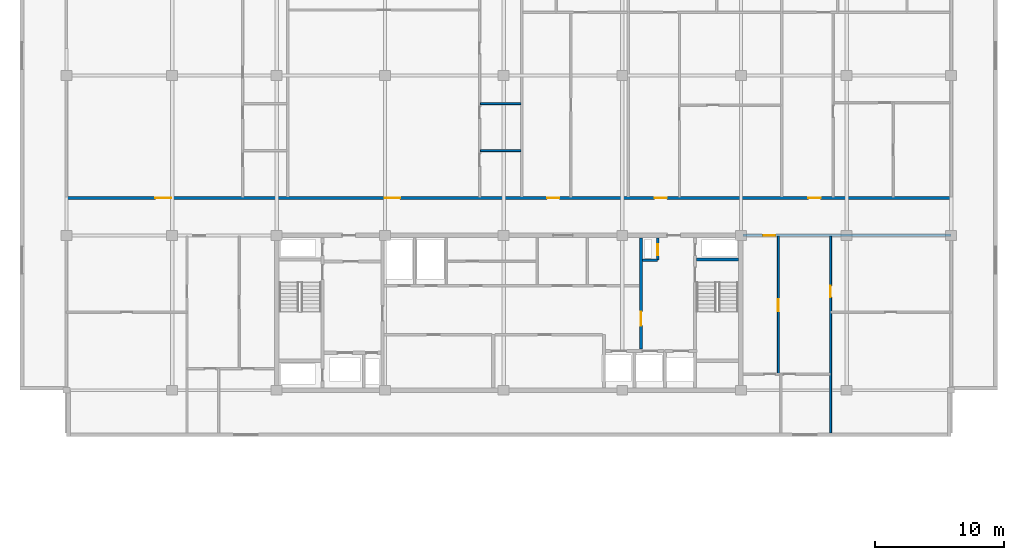
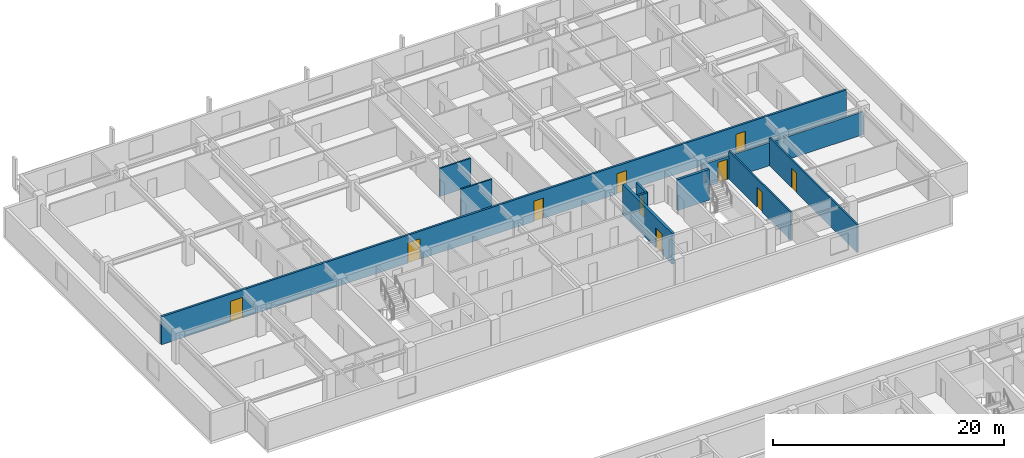
# One storey, part 12 of 21: 10 doors, 10 walls, 10 openings.
"""IFC4 building model written with IfcOpenShell, lengths in metres."""

from ifc_helpers import new_model, si_unit, direction, frame, frame_2d, origin, place, context, subcontext, project, spatial, rectangle, extrude, material, layer, layer_set, type_object, element, fill, save


model = new_model("IFC4")

# Units and contexts
model_context = context("Model", 3, precision=1e-05, world=origin(), true_north=direction((0.0, 1.0)))
body_context = subcontext(model_context, "Body", "Model", "MODEL_VIEW")
ifc_project = project(units=[si_unit("LENGTHUNIT", "METRE"), si_unit("AREAUNIT", "SQUARE_METRE"), si_unit("VOLUMEUNIT", "CUBIC_METRE"), si_unit("PLANEANGLEUNIT", "RADIAN"), si_unit("MASSUNIT", "GRAM", prefix="KILO")], contexts=[model_context])

# Site, building, storey
site_placement = place(None, origin())
site = spatial("IfcSite", under=ifc_project, at=site_placement, CompositionType="ELEMENT")
building_placement = place(site_placement, origin())
building = spatial("IfcBuilding", under=site, at=building_placement, Name="Korimba Cascade Residences", CompositionType="ELEMENT")
storey_placement = place(building_placement, frame((0.0, 0.0, 184.85009765625)))
storey = spatial("IfcBuildingStorey", under=building, at=storey_placement, Name="L53", CompositionType="ELEMENT", Elevation=184.85009765625)

# Wall, opening, door
ifc_material_1 = material(Name="Precast concrete C40/50", Category="concrete")
ifc_layer_1 = layer(ifc_material_1, 0.199951171875)
ifc_layer_set_1 = layer_set([ifc_layer_1], Name="Precast concrete C40/50")
wall_type_1 = type_object("IfcWallType", Name="WAL-IT-200", PredefinedType="PARTITIONING", material=ifc_layer_set_1)
wall_1_placement = place(storey_placement, frame((112.25, 67.199951171875, 0.0), z_axis=(0.0, 0.0, 1.0), x_axis=(1.0, 0.0, 0.0)))
wall_1 = element("IfcWall", 1, at=wall_1_placement, inside=storey, type_object=wall_type_1, Name="L53 Partition Wall WAL-L53-T1-FE-N", PredefinedType="PARTITIONING", context=body_context, shape_type="SweptSolid", body=[
    extrude(rectangle(XDim=16.14990234375, YDim=0.199951171875, at=frame_2d((8.074951171875, 0.0))), origin(), (0.0, 0.0, 1.0), 2.43310546875),
])
opening_1_placement = place(wall_1_placement, frame((1.580078125, 0.0, 0.0)))
opening_1 = element("IfcOpeningElement", 2, at=opening_1_placement, cuts=wall_1, Name="Opening D-UN1", PredefinedType="OPENING", context=body_context, shape_type="SweptSolid", body=[
    extrude(rectangle(XDim=0.949951171875, YDim=2.14990234375, at=frame_2d((0.47509765625, 1.074951171875))), frame((0.0, 0.10986328125, 0.0), z_axis=(0.0, -1.0, 0.0), x_axis=(1.0, 0.0, 0.0)), (0.0, 0.0, 1.0), 0.219970703125),
])
ifc_material_2 = material(Name="Fire-Rated Hardwood Apartment Entrance Door", Category="wood")
door_type_1 = type_object("IfcDoorType", Name="DR-FD60-950", OperationType="NOTDEFINED", PredefinedType="DOOR", material=ifc_material_2)
door_1_placement = place(opening_1_placement, origin())
door_1 = element("IfcDoor", 3, at=door_1_placement, inside=storey, type_object=door_type_1, Name="L53-T1-FE Entrance Door", OperationType="SINGLE_SWING_LEFT", OverallHeight=2.14990234375, OverallWidth=0.949951171875, PredefinedType="DOOR", context=body_context, shape_type="SweptSolid", body=[
    extrude(rectangle(XDim=0.949951171875, YDim=2.14990234375, at=frame_2d((0.47509765625, 1.074951171875))), frame((0.0, 0.02490234375, 0.0), z_axis=(0.0, -1.0, 0.0), x_axis=(1.0, 0.0, 0.0)), (0.0, 0.0, 1.0), 0.050048828125),
])
fill(opening_1, door_1)

# Wall, openings, doors
wall_2_placement = place(storey_placement, frame((59.800048828125, 70.10009765625, 0.0), z_axis=(0.0, 0.0, 1.0), x_axis=(1.0, 0.0, 0.0)))
wall_2 = element("IfcWall", 4, at=wall_2_placement, inside=storey, type_object=wall_type_1, Name="L53 Partition Wall WAL-L53-T1-CORN", PredefinedType="PARTITIONING", context=body_context, shape_type="SweptSolid", body=[
    extrude(rectangle(XDim=68.599853515625, YDim=0.199951171875, at=frame_2d((34.2998046875, 0.0))), origin(), (0.0, 0.0, 1.0), 2.969970703125),
])
opening_2_placement = place(wall_2_placement, frame((6.89404296875, 0.0, 0.0)))
opening_2 = element("IfcOpeningElement", 5, at=opening_2_placement, cuts=wall_2, Name="Opening D-AM1", PredefinedType="OPENING", context=body_context, shape_type="SweptSolid", body=[
    extrude(rectangle(XDim=1.219970703125, YDim=2.179931640625, at=frame_2d((0.60986328125, 1.08984375))), frame((0.0, 0.10986328125, 0.0), z_axis=(0.0, -1.0, 0.0), x_axis=(1.0, 0.0, 0.0)), (0.0, 0.0, 1.0), 0.219970703125),
])
opening_3_placement = place(wall_2_placement, frame((24.664794921875, 0.0, 0.0)))
opening_3 = element("IfcOpeningElement", 6, at=opening_3_placement, cuts=wall_2, Name="Opening D-AM1", PredefinedType="OPENING", context=body_context, shape_type="SweptSolid", body=[
    extrude(rectangle(XDim=1.219970703125, YDim=2.179931640625, at=frame_2d((0.60986328125, 1.08984375))), frame((0.0, 0.10986328125, 0.0), z_axis=(0.0, -1.0, 0.0), x_axis=(1.0, 0.0, 0.0)), (0.0, 0.0, 1.0), 0.219970703125),
])
opening_4_placement = place(wall_2_placement, frame((37.27587890625, 0.0, 0.0)))
opening_4 = element("IfcOpeningElement", 7, at=opening_4_placement, cuts=wall_2, Name="Opening D-UN1", PredefinedType="OPENING", context=body_context, shape_type="SweptSolid", body=[
    extrude(rectangle(XDim=0.949951171875, YDim=2.14990234375, at=frame_2d((0.47509765625, 1.074951171875))), frame((0.0, 0.10986328125, 0.0), z_axis=(0.0, -1.0, 0.0), x_axis=(1.0, 0.0, 0.0)), (0.0, 0.0, 1.0), 0.219970703125),
])
opening_5_placement = place(wall_2_placement, frame((45.615478515625, 0.0, 0.0)))
opening_5 = element("IfcOpeningElement", 8, at=opening_5_placement, cuts=wall_2, Name="Opening D-UN1", PredefinedType="OPENING", context=body_context, shape_type="SweptSolid", body=[
    extrude(rectangle(XDim=0.949951171875, YDim=2.14990234375, at=frame_2d((0.47509765625, 1.074951171875))), frame((0.0, 0.10986328125, 0.0), z_axis=(0.0, -1.0, 0.0), x_axis=(1.0, 0.0, 0.0)), (0.0, 0.0, 1.0), 0.219970703125),
])
opening_6_placement = place(wall_2_placement, frame((57.522216796875, 0.0, 0.0)))
opening_6 = element("IfcOpeningElement", 9, at=opening_6_placement, cuts=wall_2, Name="Opening D-UN1", PredefinedType="OPENING", context=body_context, shape_type="SweptSolid", body=[
    extrude(rectangle(XDim=0.949951171875, YDim=2.14990234375, at=frame_2d((0.47509765625, 1.074951171875))), frame((0.0, 0.10986328125, 0.0), z_axis=(0.0, -1.0, 0.0), x_axis=(1.0, 0.0, 0.0)), (0.0, 0.0, 1.0), 0.219970703125),
])
ifc_material_3 = material(Name="Fire-Rated Glazed Timber Suite Door", Category="wood")
door_type_2 = type_object("IfcDoorType", Name="DR-FD60-1200", OperationType="NOTDEFINED", PredefinedType="DOOR", material=ifc_material_3)
door_2_placement = place(opening_2_placement, origin())
door_2 = element("IfcDoor", 10, at=door_2_placement, inside=storey, type_object=door_type_2, Name="L53-T1-U01 Resident Conference Room Door", OperationType="SINGLE_SWING_LEFT", OverallHeight=2.179931640625, OverallWidth=1.219970703125, PredefinedType="DOOR", context=body_context, shape_type="SweptSolid", body=[
    extrude(rectangle(XDim=1.219970703125, YDim=2.179931640625, at=frame_2d((0.60986328125, 1.08984375))), frame((0.0, 0.02490234375, 0.0), z_axis=(0.0, -1.0, 0.0), x_axis=(1.0, 0.0, 0.0)), (0.0, 0.0, 1.0), 0.050048828125),
])
fill(opening_2, door_2)
door_3_placement = place(opening_3_placement, origin())
door_3 = element("IfcDoor", 11, at=door_3_placement, inside=storey, type_object=door_type_2, Name="L53-T1-U02 Health Consultation Clinic Door", OperationType="SINGLE_SWING_RIGHT", OverallHeight=2.179931640625, OverallWidth=1.219970703125, PredefinedType="DOOR", context=body_context, shape_type="SweptSolid", body=[
    extrude(rectangle(XDim=1.219970703125, YDim=2.179931640625, at=frame_2d((0.60986328125, 1.08984375))), frame((0.0, 0.02490234375, 0.0), z_axis=(0.0, -1.0, 0.0), x_axis=(1.0, 0.0, 0.0)), (0.0, 0.0, 1.0), 0.050048828125),
])
fill(opening_3, door_3)
door_4_placement = place(opening_4_placement, origin())
door_4 = element("IfcDoor", 12, at=door_4_placement, inside=storey, type_object=door_type_1, Name="Unit L53-T1-U03 Entrance Door", OperationType="SINGLE_SWING_LEFT", OverallHeight=2.14990234375, OverallWidth=0.949951171875, PredefinedType="DOOR", context=body_context, shape_type="SweptSolid", body=[
    extrude(rectangle(XDim=0.949951171875, YDim=2.14990234375, at=frame_2d((0.47509765625, 1.074951171875))), frame((0.0, 0.02490234375, 0.0), z_axis=(0.0, -1.0, 0.0), x_axis=(1.0, 0.0, 0.0)), (0.0, 0.0, 1.0), 0.050048828125),
])
fill(opening_4, door_4)
door_5_placement = place(opening_5_placement, origin())
door_5 = element("IfcDoor", 13, at=door_5_placement, inside=storey, type_object=door_type_1, Name="Unit L53-T1-U04 Entrance Door", OperationType="SINGLE_SWING_RIGHT", OverallHeight=2.14990234375, OverallWidth=0.949951171875, PredefinedType="DOOR", context=body_context, shape_type="SweptSolid", body=[
    extrude(rectangle(XDim=0.949951171875, YDim=2.14990234375, at=frame_2d((0.47509765625, 1.074951171875))), frame((0.0, 0.02490234375, 0.0), z_axis=(0.0, -1.0, 0.0), x_axis=(1.0, 0.0, 0.0)), (0.0, 0.0, 1.0), 0.050048828125),
])
fill(opening_5, door_5)
door_6_placement = place(opening_6_placement, origin())
door_6 = element("IfcDoor", 14, at=door_6_placement, inside=storey, type_object=door_type_1, Name="Unit L53-T1-U05 Entrance Door", OperationType="SINGLE_SWING_LEFT", OverallHeight=2.14990234375, OverallWidth=0.949951171875, PredefinedType="DOOR", context=body_context, shape_type="SweptSolid", body=[
    extrude(rectangle(XDim=0.949951171875, YDim=2.14990234375, at=frame_2d((0.47509765625, 1.074951171875))), frame((0.0, 0.02490234375, 0.0), z_axis=(0.0, -1.0, 0.0), x_axis=(1.0, 0.0, 0.0)), (0.0, 0.0, 1.0), 0.050048828125),
])
fill(opening_6, door_6)

# Wall, opening, door
ifc_material_4 = material(Name="Insulated Acoustic Stud Partition", Category="gypsum")
ifc_layer_2 = layer(ifc_material_4, 0.14990234375)
ifc_layer_set_2 = layer_set([ifc_layer_2], Name="Insulated Acoustic Stud Partition")
wall_type_2 = type_object("IfcWallType", Name="WAL-PART-150", PredefinedType="PARTITIONING", material=ifc_layer_set_2)
wall_3_placement = place(storey_placement, frame((119.050048828125, 51.89990234375, 0.0), z_axis=(0.0, 0.0, 1.0), x_axis=(0.0, 1.0, 0.0)))
wall_3 = element("IfcWall", 15, at=wall_3_placement, inside=storey, type_object=wall_type_2, Name="L53 Partition Wall WAL-L53-T1-FE-STV", PredefinedType="PARTITIONING", context=body_context, shape_type="SweptSolid", body=[
    extrude(rectangle(XDim=15.25, YDim=0.14990234375, at=frame_2d((7.625, 0.0))), origin(), (0.0, 0.0, 1.0), 2.969970703125),
])
opening_7_placement = place(wall_3_placement, frame((10.5, 0.0, 0.0)))
opening_7 = element("IfcOpeningElement", 16, at=opening_7_placement, cuts=wall_3, Name="Opening D-IN2", PredefinedType="OPENING", context=body_context, shape_type="SweptSolid", body=[
    extrude(rectangle(XDim=0.8798828125, YDim=2.06005859375, at=frame_2d((0.43994140625, 1.030029296875))), frame((0.0, 0.0849609375, 0.0), z_axis=(0.0, -1.0, 0.0), x_axis=(1.0, 0.0, 0.0)), (0.0, 0.0, 1.0), 0.169921875),
])
ifc_material_5 = material(Name="Acoustic Timber Bedroom Door", Category="wood")
door_type_3 = type_object("IfcDoorType", Name="DR-INT-880", OperationType="NOTDEFINED", PredefinedType="DOOR", material=ifc_material_5)
door_7_placement = place(opening_7_placement, origin())
door_7 = element("IfcDoor", 17, at=door_7_placement, inside=storey, type_object=door_type_3, Name="L53-T1-FE Study Door", OperationType="SINGLE_SWING_LEFT", OverallHeight=2.06005859375, OverallWidth=0.8798828125, PredefinedType="DOOR", context=body_context, shape_type="SweptSolid", body=[
    extrude(rectangle(XDim=0.8798828125, YDim=2.06005859375, at=frame_2d((0.43994140625, 1.030029296875))), frame((0.0, 0.02490234375, 0.0), z_axis=(0.0, -1.0, 0.0), x_axis=(1.0, 0.0, 0.0)), (0.0, 0.0, 1.0), 0.050048828125),
])
fill(opening_7, door_7)

wall_4_placement = place(storey_placement, frame((115.0, 56.449951171875, 0.0), z_axis=(0.0, 0.0, 1.0), x_axis=(0.0, 1.0, 0.0)))
wall_4 = element("IfcWall", 18, at=wall_4_placement, inside=storey, type_object=wall_type_2, Name="L53 Partition Wall WAL-L53-T1-FE-VN", PredefinedType="PARTITIONING", context=body_context, shape_type="SweptSolid", body=[
    extrude(rectangle(XDim=10.699951171875, YDim=0.14990234375, at=frame_2d((5.35009765625, 0.0))), origin(), (0.0, 0.0, 1.0), 2.969970703125),
])
opening_8_placement = place(wall_4_placement, frame((4.889892578125, 0.0, 0.0)))
opening_8 = element("IfcOpeningElement", 19, at=opening_8_placement, cuts=wall_4, Name="Opening D-IN1", PredefinedType="OPENING", context=body_context, shape_type="SweptSolid", body=[
    extrude(rectangle(XDim=0.919921875, YDim=2.080078125, at=frame_2d((0.4599609375, 1.0400390625))), frame((0.0, 0.0849609375, 0.0), z_axis=(0.0, -1.0, 0.0), x_axis=(1.0, 0.0, 0.0)), (0.0, 0.0, 1.0), 0.169921875),
])
ifc_material_6 = material(Name="Acoustic Timber Living Door", Category="wood")
door_type_4 = type_object("IfcDoorType", Name="DR-INT-920", OperationType="NOTDEFINED", PredefinedType="DOOR", material=ifc_material_6)
door_8_placement = place(opening_8_placement, origin())
door_8 = element("IfcDoor", 20, at=door_8_placement, inside=storey, type_object=door_type_4, Name="L53-T1-FE Living Door", OperationType="SINGLE_SWING_RIGHT", OverallHeight=2.080078125, OverallWidth=0.919921875, PredefinedType="DOOR", context=body_context, shape_type="SweptSolid", body=[
    extrude(rectangle(XDim=0.919921875, YDim=2.080078125, at=frame_2d((0.4599609375, 1.0400390625))), frame((0.0, 0.02490234375, 0.0), z_axis=(0.0, -1.0, 0.0), x_axis=(1.0, 0.0, 0.0)), (0.0, 0.0, 1.0), 0.050048828125),
])
fill(opening_8, door_8)

# Walls
for number, where, z_axis, x_axis, name in (
    (21, (91.9013671875, 73.77001953125, 0.0), (0.0, 0.0, 1.0), (1.0, 0.0, 0.0), "L53 Partition Wall WAL-L53-T1-U02-WCH"),
    (22, (91.9013671875, 77.419921875, 0.0), (0.0, 0.0, 1.0), (1.0, 0.0, 0.0), "L53 Partition Wall WAL-L53-T1-U02-WCH2"),
):
    element("IfcWall", number, at=place(storey_placement, frame(where, z_axis=z_axis, x_axis=x_axis)), inside=storey, type_object=wall_type_2, Name=name, PredefinedType="PARTITIONING", context=body_context, shape_type="SweptSolid", body=[
        extrude(rectangle(XDim=3.130126953125, YDim=0.14990234375, at=frame_2d((1.56494140625, 0.0))), origin(), (0.0, 0.0, 1.0), 2.969970703125),
    ])
ifc_material_7 = material(Name="Concrete C40/50", Category="concrete")
ifc_layer_3 = layer(ifc_material_7, 0.199951171875)
ifc_layer_set_3 = layer_set([ifc_layer_3], Name="Concrete C40/50")
wall_type_3 = type_object("IfcWallType", Name="WAL-PART-200", PredefinedType="PARTITIONING", material=ifc_layer_set_3)
wall_5_placement = place(storey_placement, frame((104.449951171875, 65.280029296875, 0.0), z_axis=(0.0, 0.0, 1.0), x_axis=(1.0, 0.0, 0.0)))
element("IfcWall", 23, at=wall_5_placement, inside=storey, type_object=wall_type_3, Name="L53 Partition Wall CW-L53-T1-HYDW2S", PredefinedType="PARTITIONING", context=body_context, shape_type="SweptSolid", body=[
    extrude(rectangle(XDim=1.199951171875, YDim=0.199951171875, at=frame_2d((0.60009765625, 0.0))), origin(), (0.0, 0.0, 1.0), 2.969970703125),
])

# Wall, opening, door
wall_6_placement = place(storey_placement, frame((105.64990234375, 65.280029296875, 0.0), z_axis=(0.0, 0.0, 1.0), x_axis=(0.0, 1.0, 0.0)))
wall_6 = element("IfcWall", 24, at=wall_6_placement, inside=storey, type_object=wall_type_3, Name="L53 Partition Wall CW-L53-T1-HYDW2E", PredefinedType="PARTITIONING", context=body_context, shape_type="SweptSolid", body=[
    extrude(rectangle(XDim=1.719970703125, YDim=0.199951171875, at=frame_2d((0.85986328125, 0.0))), origin(), (0.0, 0.0, 1.0), 2.969970703125),
])
opening_9_placement = place(wall_6_placement, frame((0.39990234375, 0.0, 0.0)))
opening_9 = element("IfcOpeningElement", 25, at=opening_9_placement, cuts=wall_6, Name="Opening D-RS1", PredefinedType="OPENING", context=body_context, shape_type="SweptSolid", body=[
    extrude(rectangle(XDim=0.85009765625, YDim=2.050048828125, at=frame_2d((0.425048828125, 1.02490234375))), frame((0.0, 0.10986328125, 0.0), z_axis=(0.0, -1.0, 0.0), x_axis=(1.0, 0.0, 0.0)), (0.0, 0.0, 1.0), 0.219970703125),
])
ifc_material_8 = material(Name="Fire-Rated Steel Riser Access Door", Category="steel")
door_type_5 = type_object("IfcDoorType", Name="DR-FD60-850", OperationType="NOTDEFINED", PredefinedType="DOOR", material=ifc_material_8)
door_9_placement = place(opening_9_placement, origin())
door_9 = element("IfcDoor", 26, at=door_9_placement, inside=storey, type_object=door_type_5, Name="L53 East Hydrant Door", OperationType="SINGLE_SWING_RIGHT", OverallHeight=2.050048828125, OverallWidth=0.85009765625, PredefinedType="DOOR", context=body_context, shape_type="SweptSolid", body=[
    extrude(rectangle(XDim=0.85009765625, YDim=2.050048828125, at=frame_2d((0.425048828125, 1.02490234375))), frame((0.0, 0.02490234375, 0.0), z_axis=(0.0, -1.0, 0.0), x_axis=(1.0, 0.0, 0.0)), (0.0, 0.0, 1.0), 0.050048828125),
])
fill(opening_9, door_9)

ifc_material_9 = material(Name="Concrete C50/60", Category="concrete")
ifc_layer_4 = layer(ifc_material_9, 0.25)
ifc_layer_set_4 = layer_set([ifc_layer_4], Name="Concrete C50/60")
wall_type_4 = type_object("IfcWallType", Name="WAL-SHAFT-250", PredefinedType="SHEAR", material=ifc_layer_set_4)
wall_7_placement = place(storey_placement, frame((104.35009765625, 58.39990234375, 0.0), z_axis=(0.0, 0.0, 1.0), x_axis=(0.0, 1.0, 0.0)))
wall_7 = element("IfcWall", 27, at=wall_7_placement, inside=storey, type_object=wall_type_4, Name="L53 Core Shear Wall CW-L53-T1-LLEV", PredefinedType="SHEAR", context=body_context, shape_type="SweptSolid", body=[
    extrude(rectangle(XDim=8.60009765625, YDim=0.25, at=frame_2d((4.300048828125, 0.0))), origin(), (0.0, 0.0, 1.0), 3.25),
])
opening_10_placement = place(wall_7_placement, frame((1.800048828125, 0.0, 0.0)))
opening_10 = element("IfcOpeningElement", 28, at=opening_10_placement, cuts=wall_7, Name="Opening D-FD1", PredefinedType="OPENING", context=body_context, shape_type="SweptSolid", body=[
    extrude(rectangle(XDim=1.10009765625, YDim=2.10009765625, at=frame_2d((0.550048828125, 1.050048828125))), frame((0.0, 0.135009765625, 0.0), z_axis=(0.0, -1.0, 0.0), x_axis=(1.0, 0.0, 0.0)), (0.0, 0.0, 1.0), 0.27001953125),
])
ifc_material_10 = material(Name="Fire-Rated Steel Core Door", Category="steel")
door_type_6 = type_object("IfcDoorType", Name="DR-FD120-1100", OperationType="NOTDEFINED", PredefinedType="DOOR", material=ifc_material_10)
door_10_placement = place(opening_10_placement, origin())
door_10 = element("IfcDoor", 29, at=door_10_placement, inside=storey, type_object=door_type_6, Name="L53 Lift Lobby to East Firefighting Lobby Door", OperationType="SINGLE_SWING_LEFT", OverallHeight=2.10009765625, OverallWidth=1.10009765625, PredefinedType="DOOR", context=body_context, shape_type="SweptSolid", body=[
    extrude(rectangle(XDim=1.10009765625, YDim=2.10009765625, at=frame_2d((0.550048828125, 1.050048828125))), frame((0.0, 0.02490234375, 0.0), z_axis=(0.0, -1.0, 0.0), x_axis=(1.0, 0.0, 0.0)), (0.0, 0.0, 1.0), 0.050048828125),
])
fill(opening_10, door_10)

# Wall
wall_8_placement = place(storey_placement, frame((108.659912109375, 65.324951171875, 0.0), z_axis=(0.0, 0.0, 1.0), x_axis=(1.0, 0.0, 0.0)))
element("IfcWall", 30, at=wall_8_placement, inside=storey, type_object=wall_type_4, Name="L53 Core Shear Wall CW-L53-T1-STW2N", PredefinedType="SHEAR", context=body_context, shape_type="SweptSolid", body=[
    extrude(rectangle(XDim=3.239990234375, YDim=0.25, at=frame_2d((1.6201171875, 0.0))), origin(), (0.0, 0.0, 1.0), 3.25),
])

save(model, "model.ifc")
